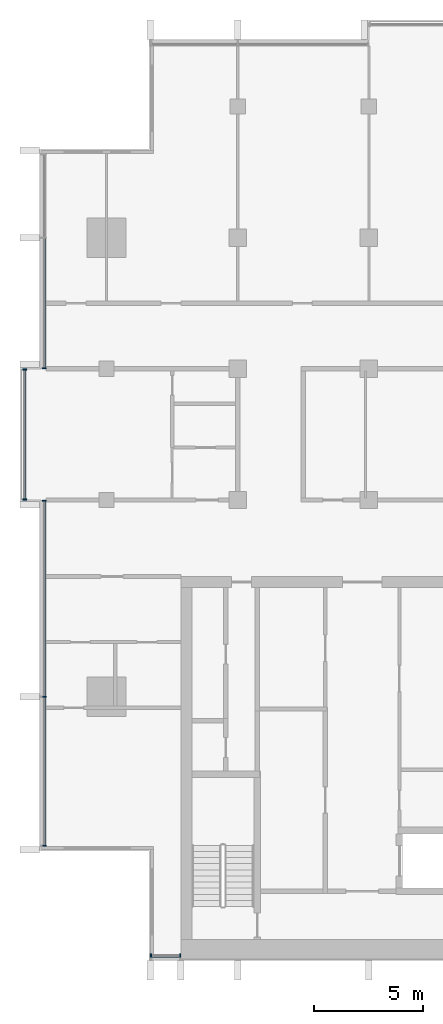
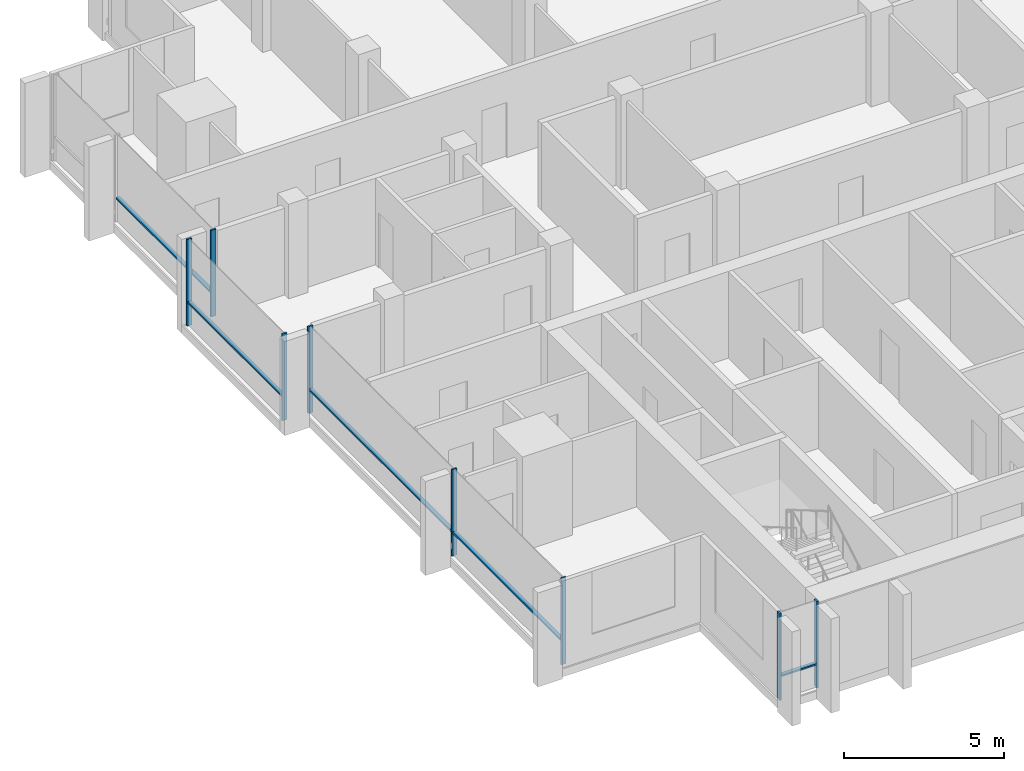
# One storey, part 2 of 15: 13 members, 4 elements without a shape of their own.
"""IFC4 building model written with IfcOpenShell, lengths in metres."""

from ifc_helpers import new_model, si_unit, direction, frame, origin, origin_2d, place, context, subcontext, project, spatial, rectangle, extrude, material, material_profile, profile_set, type_object, element, aggregate, save


model = new_model("IFC4")

# Units and contexts
model_context = context("Model", 3, precision=1e-05, world=origin(), true_north=direction((0.0, 1.0)))
body_context = subcontext(model_context, "Body", "Model", "MODEL_VIEW")
ifc_project = project(units=[si_unit("LENGTHUNIT", "METRE"), si_unit("AREAUNIT", "SQUARE_METRE"), si_unit("VOLUMEUNIT", "CUBIC_METRE"), si_unit("PLANEANGLEUNIT", "RADIAN"), si_unit("MASSUNIT", "GRAM", prefix="KILO")], contexts=[model_context])

# Site, building, storey
site_placement = place(None, origin())
site = spatial("IfcSite", under=ifc_project, at=site_placement, CompositionType="ELEMENT")
building_placement = place(site_placement, origin())
building = spatial("IfcBuilding", under=site, at=building_placement, Name="Finial Court Residences", CompositionType="ELEMENT")
storey_placement = place(building_placement, frame((0.0, 0.0, 273.5)))
storey = spatial("IfcBuildingStorey", under=building, at=storey_placement, Name="L69", CompositionType="ELEMENT", Elevation=273.5)

# Curtain wall, members
ifc_material = material(Name="Bronze anodised aluminium", Category="aluminium")
curtain_wall_type = type_object("IfcCurtainWallType", Name="Unitised curtain wall, upper zones", PredefinedType="NOTDEFINED", material=ifc_material)
curtain_wall_1_placement = place(storey_placement, origin())
curtain_wall_1 = element("IfcCurtainWall", 1, at=curtain_wall_1_placement, inside=storey, type_object=curtain_wall_type, Name="E-L69-CW-S7", PredefinedType="NOTDEFINED")
ifc_material_profile_1 = material_profile(ifc_material, rectangle(XDim=0.175048828125, YDim=0.06005859375, at=origin_2d()), Name="CW2 mullion 60 x 175")
ifc_profile_set_1 = profile_set([ifc_material_profile_1], Name="Bronze anodised aluminium")
member_type_1 = type_object("IfcMemberType", Name="CW2 mullion 60 x 175", PredefinedType="MULLION", material=ifc_profile_set_1)
member_1_placement = place(storey_placement, frame((-14.469970703125, -25.35009765625, 0.0), z_axis=(0.0, 0.0, 1.0), x_axis=(0.0, 1.0, 0.0)))
member_1 = element("IfcMember", 2, at=member_1_placement, type_object=member_type_1, Name="CW2 mullion 1", PredefinedType="MULLION", context=body_context, shape_type="SweptSolid", body=[
    extrude(rectangle(XDim=0.175048828125, YDim=0.06005859375, at=origin_2d()), origin(), (0.0, 0.0, 1.0), 3.300048828125),
])
member_2_placement = place(storey_placement, frame((-13.1298828125, -25.35009765625, 0.0), z_axis=(0.0, 0.0, 1.0), x_axis=(0.0, 1.0, 0.0)))
member_2 = element("IfcMember", 3, at=member_2_placement, type_object=member_type_1, Name="CW2 mullion 2", PredefinedType="MULLION", context=body_context, shape_type="SweptSolid", body=[
    extrude(rectangle(XDim=0.175048828125, YDim=0.06005859375, at=origin_2d()), origin(), (0.0, 0.0, 1.0), 3.300048828125),
])

curtain_wall_2_placement = place(storey_placement, origin())
curtain_wall_2 = element("IfcCurtainWall", 4, at=curtain_wall_2_placement, inside=storey, type_object=curtain_wall_type, Name="E-L69-CW-W9", PredefinedType="NOTDEFINED")
member_3_placement = place(storey_placement, frame((-19.35009765625, -20.320068359375, 0.0), z_axis=(0.0, 0.0, 1.0), x_axis=(-1.0, 0.0, 0.0)))
member_3 = element("IfcMember", 5, at=member_3_placement, type_object=member_type_1, Name="CW2 mullion 1", PredefinedType="MULLION", context=body_context, shape_type="SweptSolid", body=[
    extrude(rectangle(XDim=0.175048828125, YDim=0.06005859375, at=origin_2d()), origin(), (0.0, 0.0, 1.0), 3.300048828125),
])
member_4_placement = place(storey_placement, frame((-19.35009765625, -13.5, 0.0), z_axis=(0.0, 0.0, 1.0), x_axis=(-1.0, 0.0, 0.0)))
member_4 = element("IfcMember", 6, at=member_4_placement, type_object=member_type_1, Name="CW2 mullion 2", PredefinedType="MULLION", context=body_context, shape_type="SweptSolid", body=[
    extrude(rectangle(XDim=0.175048828125, YDim=0.06005859375, at=origin_2d()), origin(), (0.0, 0.0, 1.0), 3.300048828125),
])
member_5_placement = place(storey_placement, frame((-19.35009765625, -4.530029296875, 0.0), z_axis=(0.0, 0.0, 1.0), x_axis=(-1.0, 0.0, 0.0)))
member_5 = element("IfcMember", 7, at=member_5_placement, type_object=member_type_1, Name="CW2 mullion 3", PredefinedType="MULLION", context=body_context, shape_type="SweptSolid", body=[
    extrude(rectangle(XDim=0.175048828125, YDim=0.06005859375, at=origin_2d()), origin(), (0.0, 0.0, 1.0), 3.300048828125),
])

curtain_wall_3_placement = place(storey_placement, origin())
curtain_wall_3 = element("IfcCurtainWall", 8, at=curtain_wall_3_placement, inside=storey, type_object=curtain_wall_type, Name="E-L69-CW-W10", PredefinedType="NOTDEFINED")
member_6_placement = place(storey_placement, frame((-20.25, -4.469970703125, 0.0), z_axis=(0.0, 0.0, 1.0), x_axis=(-1.0, 0.0, 0.0)))
member_6 = element("IfcMember", 9, at=member_6_placement, type_object=member_type_1, Name="CW2 mullion 1", PredefinedType="MULLION", context=body_context, shape_type="SweptSolid", body=[
    extrude(rectangle(XDim=0.175048828125, YDim=0.06005859375, at=origin_2d()), origin(), (0.0, 0.0, 1.0), 3.300048828125),
])
member_7_placement = place(storey_placement, frame((-20.25, 1.469970703125, 0.0), z_axis=(0.0, 0.0, 1.0), x_axis=(-1.0, 0.0, 0.0)))
member_7 = element("IfcMember", 10, at=member_7_placement, type_object=member_type_1, Name="CW2 mullion 2", PredefinedType="MULLION", context=body_context, shape_type="SweptSolid", body=[
    extrude(rectangle(XDim=0.175048828125, YDim=0.06005859375, at=origin_2d()), origin(), (0.0, 0.0, 1.0), 3.300048828125),
])

# Curtain wall, member
curtain_wall_4_placement = place(storey_placement, origin())
curtain_wall_4 = element("IfcCurtainWall", 11, at=curtain_wall_4_placement, inside=storey, type_object=curtain_wall_type, Name="E-L69-CW-W11", PredefinedType="NOTDEFINED")
member_8_placement = place(storey_placement, frame((-19.35009765625, 1.530029296875, 0.0), z_axis=(0.0, 0.0, 1.0), x_axis=(-1.0, 0.0, 0.0)))
member_8 = element("IfcMember", 12, at=member_8_placement, type_object=member_type_1, Name="CW2 mullion 1", PredefinedType="MULLION", context=body_context, shape_type="SweptSolid", body=[
    extrude(rectangle(XDim=0.175048828125, YDim=0.06005859375, at=origin_2d()), origin(), (0.0, 0.0, 1.0), 3.300048828125),
])

# Member
ifc_material_profile_2 = material_profile(ifc_material, rectangle(XDim=0.139892578125, YDim=0.06005859375, at=origin_2d()), Name="CW2 transom 60 x 140")
ifc_profile_set_2 = profile_set([ifc_material_profile_2], Name="Bronze anodised aluminium")
member_type_2 = type_object("IfcMemberType", Name="CW2 transom 60 x 140", PredefinedType="USERDEFINED", material=ifc_profile_set_2)
member_9_placement = place(storey_placement, frame((-14.43994140625, -25.35009765625, 0.89990234375), z_axis=(1.0, 0.0, 0.0), x_axis=(0.0, 1.0, 0.0)))
member_9 = element("IfcMember", 13, at=member_9_placement, type_object=member_type_2, Name="CW2 transom 1.1", ObjectType="TRANSOM", PredefinedType="USERDEFINED", context=body_context, shape_type="SweptSolid", body=[
    extrude(rectangle(XDim=0.139892578125, YDim=0.06005859375, at=origin_2d()), origin(), (0.0, 0.0, 1.0), 1.280029296875),
])

aggregate(curtain_wall_1, [member_1, member_2, member_9])

member_10_placement = place(storey_placement, frame((-19.35009765625, -20.2900390625, 0.89990234375), z_axis=(0.0, 1.0, 0.0), x_axis=(-1.0, 0.0, 0.0)))
member_10 = element("IfcMember", 14, at=member_10_placement, type_object=member_type_2, Name="CW2 transom 1.1", ObjectType="TRANSOM", PredefinedType="USERDEFINED", context=body_context, shape_type="SweptSolid", body=[
    extrude(rectangle(XDim=0.139892578125, YDim=0.06005859375, at=origin_2d()), origin(), (0.0, 0.0, 1.0), 6.760009765625),
])

member_11_placement = place(storey_placement, frame((-19.35009765625, -13.469970703125, 0.89990234375), z_axis=(0.0, 1.0, 0.0), x_axis=(-1.0, 0.0, 0.0)))
member_11 = element("IfcMember", 15, at=member_11_placement, type_object=member_type_2, Name="CW2 transom 2.1", ObjectType="TRANSOM", PredefinedType="USERDEFINED", context=body_context, shape_type="SweptSolid", body=[
    extrude(rectangle(XDim=0.139892578125, YDim=0.06005859375, at=origin_2d()), origin(), (0.0, 0.0, 1.0), 8.909912109375),
])

aggregate(curtain_wall_2, [member_3, member_4, member_5, member_10, member_11])

member_12_placement = place(storey_placement, frame((-20.25, -4.43994140625, 0.89990234375), z_axis=(0.0, 1.0, 0.0), x_axis=(-1.0, 0.0, 0.0)))
member_12 = element("IfcMember", 16, at=member_12_placement, type_object=member_type_2, Name="CW2 transom 1.1", ObjectType="TRANSOM", PredefinedType="USERDEFINED", context=body_context, shape_type="SweptSolid", body=[
    extrude(rectangle(XDim=0.139892578125, YDim=0.06005859375, at=origin_2d()), origin(), (0.0, 0.0, 1.0), 5.8798828125),
])

aggregate(curtain_wall_3, [member_6, member_7, member_12])

member_13_placement = place(storey_placement, frame((-19.35009765625, 1.56005859375, 0.89990234375), z_axis=(0.0, 1.0, 0.0), x_axis=(-1.0, 0.0, 0.0)))
member_13 = element("IfcMember", 17, at=member_13_placement, type_object=member_type_2, Name="CW2 transom 1.1", ObjectType="TRANSOM", PredefinedType="USERDEFINED", context=body_context, shape_type="SweptSolid", body=[
    extrude(rectangle(XDim=0.139892578125, YDim=0.06005859375, at=origin_2d()), origin(), (0.0, 0.0, 1.0), 5.909912109375),
])

aggregate(curtain_wall_4, [member_8, member_13])

save(model, "model.ifc")
